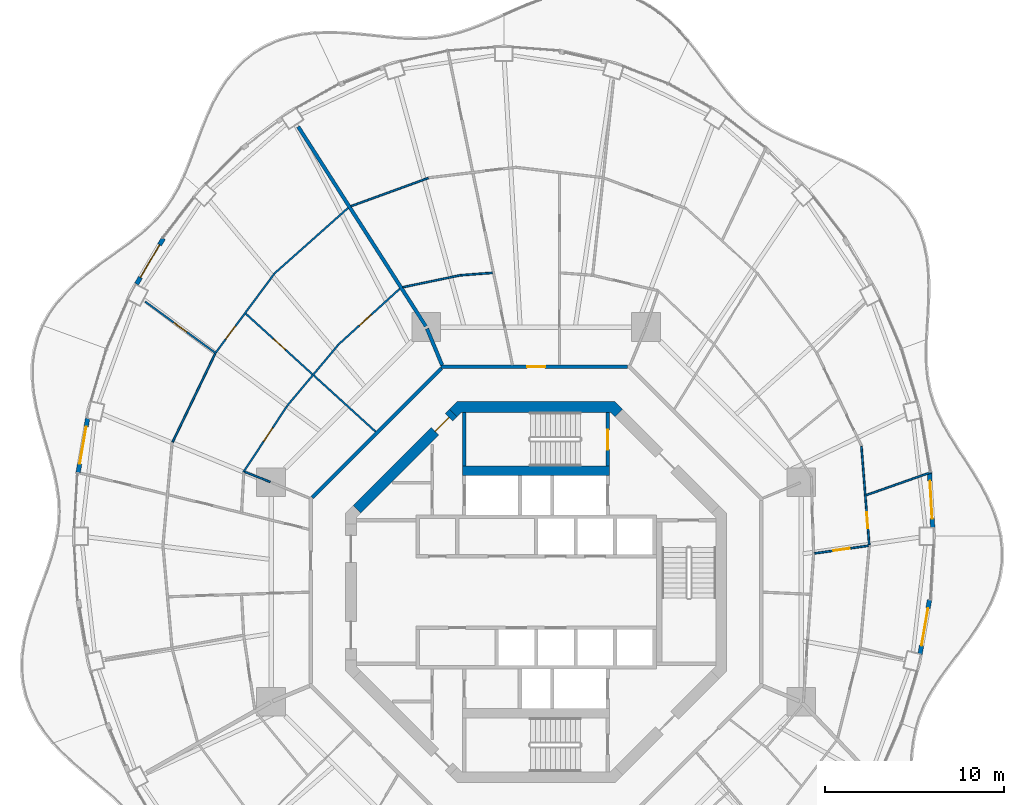
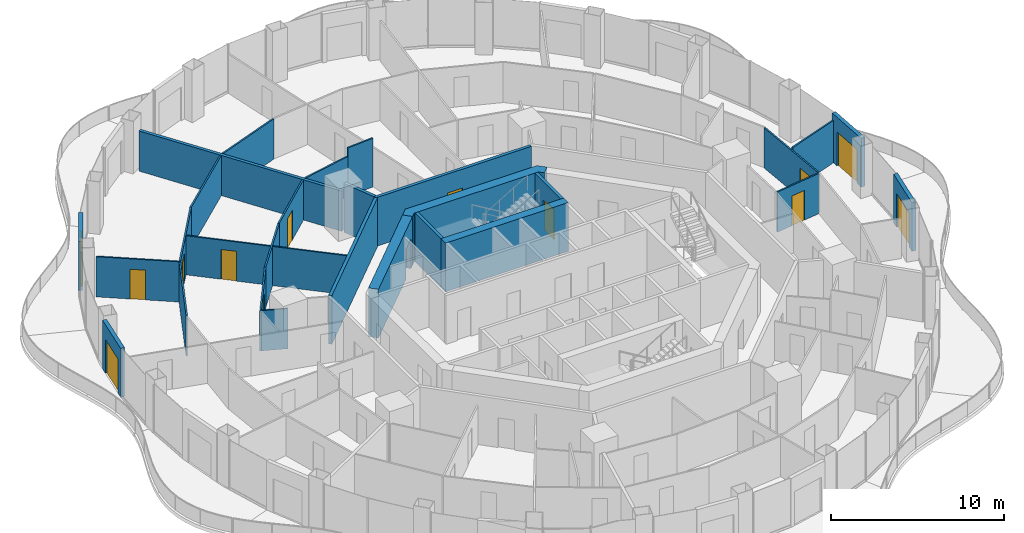
# One storey, part 13 of 18: 28 walls, 14 doors, 14 openings.
"""IFC4 building model written with IfcOpenShell, lengths in metres."""

from ifc_helpers import new_model, si_unit, direction, frame, frame_2d, origin, place, context, subcontext, project, spatial, polyline, rectangle, outline, extrude, material, layer, layer_set, type_object, element, fill, save


model = new_model("IFC4")

# Units and contexts
model_context = context("Model", 3, precision=1e-05, world=origin(), true_north=direction((0.0, 1.0)))
body_context = subcontext(model_context, "Body", "Model", "MODEL_VIEW")
ifc_project = project(units=[si_unit("LENGTHUNIT", "METRE"), si_unit("AREAUNIT", "SQUARE_METRE"), si_unit("VOLUMEUNIT", "CUBIC_METRE"), si_unit("PLANEANGLEUNIT", "RADIAN"), si_unit("MASSUNIT", "GRAM", prefix="KILO")], contexts=[model_context])

# Site, building, storey
site_placement = place(None, origin())
site = spatial("IfcSite", under=ifc_project, at=site_placement, CompositionType="ELEMENT")
building_placement = place(site_placement, origin())
building = spatial("IfcBuilding", under=site, at=building_placement, Name="Nagisa Residences", CompositionType="ELEMENT")
storey_placement = place(building_placement, frame((0.0, 0.0, 241.800048828125)))
storey = spatial("IfcBuildingStorey", under=building, at=storey_placement, Name="L61", CompositionType="ELEMENT", Elevation=241.800048828125)

# Walls
ifc_material_1 = material(Name="Gypsum board on steel studs", Category="steel")
ifc_layer_1 = layer(ifc_material_1, 0.199951171875)
ifc_layer_set_1 = layer_set([ifc_layer_1], Name="Apartment compartment wall EI60 200")
wall_type_1 = type_object("IfcWallType", Name="Apartment compartment wall EI60 200", PredefinedType="PARTITIONING", material=ifc_layer_set_1)
wall_1_placement = place(storey_placement, frame((-5.24267578125, 12.6572265625, 0.0), z_axis=(0.0, 0.0, 1.0), x_axis=(-0.382691608661, 0.923876145736, 0.0)))
element("IfcWall", 1, at=wall_1_placement, inside=storey, type_object=wall_type_1, Name="wall:L61:u00", PredefinedType="PARTITIONING", context=body_context, shape_type="SweptSolid", body=[
    extrude(rectangle(XDim=2.19970703125, YDim=0.199951171875, at=frame_2d((1.099853515625, 0.0))), origin(), (0.0, 0.0, 1.0), 3.43994140625),
])
wall_2_placement = place(storey_placement, frame((-6.14990234375, 14.82421875, 0.0), z_axis=(0.0, 0.0, 1.0), x_axis=(-0.538870687577, 0.842388498301, 0.0)))
element("IfcWall", 2, at=wall_2_placement, inside=storey, type_object=wall_type_1, Name="wall:L61:u01", PredefinedType="PARTITIONING", context=body_context, shape_type="SweptSolid", body=[
    extrude(rectangle(XDim=13.212646484375, YDim=0.199951171875, at=frame_2d((6.6064453125, 0.0))), origin(), (0.0, 0.0, 1.0), 2.8369140625),
])

# Wall, opening, door
ifc_material_2 = material(Name="Gypsum board on steel studs", Category="steel")
ifc_layer_2 = layer(ifc_material_2, 0.199951171875)
ifc_layer_set_2 = layer_set([ifc_layer_2], Name="Apartment entry wall EI60 200")
wall_type_2 = type_object("IfcWallType", Name="Apartment entry wall EI60 200", PredefinedType="PARTITIONING", material=ifc_layer_set_2)
wall_3_placement = place(storey_placement, frame((5.1044921875, 12.564697265625, 0.0), z_axis=(0.0, 0.0, 1.0), x_axis=(-1.0, 0.0, 0.0)))
wall_3 = element("IfcWall", 3, at=wall_3_placement, inside=storey, type_object=wall_type_2, Name="wall:L61:u10", PredefinedType="PARTITIONING", context=body_context, shape_type="SweptSolid", body=[
    extrude(rectangle(XDim=10.408935546875, YDim=0.199951171875, at=frame_2d((5.20458984375, 0.0))), origin(), (0.0, 0.0, 1.0), 3.43994140625),
])
opening_1_placement = place(wall_3_placement, frame((4.6044921875, 0.0, 0.0)))
opening_1 = element("IfcOpeningElement", 4, at=opening_1_placement, cuts=wall_3, Name="Opening L61-U20", PredefinedType="OPENING", context=body_context, shape_type="SweptSolid", body=[
    extrude(rectangle(XDim=1.0, YDim=2.10009765625, at=frame_2d((0.5, 1.050048828125))), frame((0.0, 0.10986328125, 0.0), z_axis=(0.0, -1.0, 0.0), x_axis=(1.0, 0.0, 0.0)), (0.0, 0.0, 1.0), 0.219970703125),
])
ifc_material_3 = material(Name="Timber fire door set", Category="wood")
door_type_1 = type_object("IfcDoorType", Name="Apartment entry door FD30S 1000x2100", OperationType="NOTDEFINED", PredefinedType="DOOR", material=ifc_material_3)
door_1_placement = place(opening_1_placement, frame((1.0, 0.0, 0.0), x_axis=(-1.0, 0.0, 0.0)))
door_1 = element("IfcDoor", 5, at=door_1_placement, inside=storey, type_object=door_type_1, Name="Entry door, Apartment 61C", OperationType="SINGLE_SWING_LEFT", OverallHeight=2.10009765625, OverallWidth=1.0, PredefinedType="DOOR", context=body_context, shape_type="SweptSolid", body=[
    extrude(rectangle(XDim=1.0, YDim=2.10009765625, at=frame_2d((0.5, 1.050048828125))), frame((0.0, 0.02490234375, 0.0), z_axis=(0.0, -1.0, 0.0), x_axis=(1.0, 0.0, 0.0)), (0.0, 0.0, 1.0), 0.050048828125),
])
fill(opening_1, door_1)

# Wall
wall_4_placement = place(storey_placement, frame((-5.275146484375, 12.494140625, 0.0), z_axis=(0.0, 0.0, 1.0), x_axis=(-0.707106781187, -0.707106781187, 0.0)))
element("IfcWall", 6, at=wall_4_placement, inside=storey, type_object=wall_type_2, Name="wall:L61:u11", PredefinedType="PARTITIONING", context=body_context, shape_type="SweptSolid", body=[
    extrude(rectangle(XDim=10.209228515625, YDim=0.199951171875, at=frame_2d((5.1044921875, 0.0))), origin(), (0.0, 0.0, 1.0), 3.43994140625),
])

# Wall, opening, door
ifc_material_4 = material(Name="Gypsum board on steel studs", Category="steel")
ifc_layer_3 = layer(ifc_material_4, 0.10009765625)
ifc_layer_set_3 = layer_set([ifc_layer_3], Name="Apartment partition 100")
wall_type_3 = type_object("IfcWallType", Name="Apartment partition 100", PredefinedType="PARTITIONING", material=ifc_layer_set_3)
wall_5_placement = place(storey_placement, frame((15.52587890625, 2.15673828125, 0.0), z_axis=(0.0, 0.0, 1.0), x_axis=(0.989997669831, 0.141083711779, 0.0)))
wall_5 = element("IfcWall", 7, at=wall_5_placement, inside=storey, type_object=wall_type_3, Name="wall:L61:u16", PredefinedType="PARTITIONING", context=body_context, shape_type="SweptSolid", body=[
    extrude(rectangle(XDim=3.036865234375, YDim=0.10009765625, at=frame_2d((1.5185546875, 0.0))), origin(), (0.0, 0.0, 1.0), 2.8369140625),
])
opening_2_placement = place(wall_5_placement, frame((1.068603515625, 0.0, 0.0)))
opening_2 = element("IfcOpeningElement", 8, at=opening_2_placement, cuts=wall_5, Name="Opening L61-U37", PredefinedType="OPENING", context=body_context, shape_type="SweptSolid", body=[
    extrude(rectangle(XDim=0.89990234375, YDim=2.10009765625, at=frame_2d((0.449951171875, 1.050048828125))), frame((0.0, 0.06005859375, 0.0), z_axis=(0.0, -1.0, 0.0), x_axis=(1.0, 0.0, 0.0)), (0.0, 0.0, 1.0), 0.1201171875),
])
ifc_material_5 = material(Name="Timber door set", Category="wood")
door_type_2 = type_object("IfcDoorType", Name="Apartment door 900x2100", OperationType="NOTDEFINED", PredefinedType="DOOR", material=ifc_material_5)
door_2_placement = place(opening_2_placement, frame((0.89990234375, 0.0, 0.0), x_axis=(-1.0, 0.0, 0.0)))
door_2 = element("IfcDoor", 9, at=door_2_placement, inside=storey, type_object=door_type_2, Name="Door to kitchen, Apartment 61C", OperationType="SINGLE_SWING_RIGHT", OverallHeight=2.10009765625, OverallWidth=0.89990234375, PredefinedType="DOOR", context=body_context, shape_type="SweptSolid", body=[
    extrude(rectangle(XDim=0.89990234375, YDim=2.10009765625, at=frame_2d((0.449951171875, 1.050048828125))), frame((0.0, 0.02490234375, 0.0), z_axis=(0.0, -1.0, 0.0), x_axis=(1.0, 0.0, 0.0)), (0.0, 0.0, 1.0), 0.050048828125),
])
fill(opening_2, door_2)

wall_6_placement = place(storey_placement, frame((18.578125, 2.64208984375, 0.0), z_axis=(0.0, 0.0, 1.0), x_axis=(-0.079179272956, 0.9968603928, 0.0)))
wall_6 = element("IfcWall", 10, at=wall_6_placement, inside=storey, type_object=wall_type_3, Name="wall:L61:u19", PredefinedType="PARTITIONING", context=body_context, shape_type="SweptSolid", body=[
    extrude(rectangle(XDim=5.50390625, YDim=0.10009765625, at=frame_2d((2.751953125, 0.0))), origin(), (0.0, 0.0, 1.0), 2.8369140625),
])
opening_3_placement = place(wall_6_placement, frame((0.926025390625, 0.0, 0.0)))
opening_3 = element("IfcOpeningElement", 11, at=opening_3_placement, cuts=wall_6, Name="Opening L61-U35", PredefinedType="OPENING", context=body_context, shape_type="SweptSolid", body=[
    extrude(rectangle(XDim=0.89990234375, YDim=2.10009765625, at=frame_2d((0.449951171875, 1.050048828125))), frame((0.0, 0.06005859375, 0.0), z_axis=(0.0, -1.0, 0.0), x_axis=(1.0, 0.0, 0.0)), (0.0, 0.0, 1.0), 0.1201171875),
])
door_3_placement = place(opening_3_placement, frame((0.89990234375, 0.0, 0.0), x_axis=(-1.0, 0.0, 0.0)))
door_3 = element("IfcDoor", 12, at=door_3_placement, inside=storey, type_object=door_type_2, Name="Door to master bedroom, Apartment 61C", OperationType="SINGLE_SWING_RIGHT", OverallHeight=2.10009765625, OverallWidth=0.89990234375, PredefinedType="DOOR", context=body_context, shape_type="SweptSolid", body=[
    extrude(rectangle(XDim=0.89990234375, YDim=2.10009765625, at=frame_2d((0.449951171875, 1.050048828125))), frame((0.0, 0.02490234375, 0.0), z_axis=(0.0, -1.0, 0.0), x_axis=(1.0, 0.0, 0.0)), (0.0, 0.0, 1.0), 0.050048828125),
])
fill(opening_3, door_3)

# Walls
wall_7_placement = place(storey_placement, frame((18.4072265625, 5.402099609375, 0.0), z_axis=(0.0, 0.0, 1.0), x_axis=(0.942990333583, 0.332820117735, 0.0)))
element("IfcWall", 13, at=wall_7_placement, inside=storey, type_object=wall_type_3, Name="wall:L61:u21", PredefinedType="PARTITIONING", context=body_context, shape_type="SweptSolid", body=[
    extrude(rectangle(XDim=3.837890625, YDim=0.10009765625, at=frame_2d((1.9189453125, 0.0))), origin(), (0.0, 0.0, 1.0), 2.98291015625),
])
wall_8_placement = place(storey_placement, frame((-2.43505859375, 17.803955078125, 0.0), z_axis=(0.0, 0.0, 1.0), x_axis=(-0.997128664551, -0.075725995084, 0.0)))
element("IfcWall", 14, at=wall_8_placement, inside=storey, type_object=wall_type_3, Name="wall:L61:u43", PredefinedType="PARTITIONING", context=body_context, shape_type="SweptSolid", body=[
    extrude(rectangle(XDim=1.750732421875, YDim=0.10009765625, at=frame_2d((0.87548828125, 0.0))), origin(), (0.0, 0.0, 1.0), 3.43994140625),
])
wall_9_placement = place(storey_placement, frame((-4.181640625, 17.677734375, 0.0), z_axis=(0.0, 0.0, 1.0), x_axis=(-0.979196996208, -0.202911908517, 0.0)))
element("IfcWall", 15, at=wall_9_placement, inside=storey, type_object=wall_type_3, Name="wall:L61:u44", PredefinedType="PARTITIONING", context=body_context, shape_type="SweptSolid", body=[
    extrude(rectangle(XDim=3.32080078125, YDim=0.10009765625, at=frame_2d((1.660400390625, 0.0))), origin(), (0.0, 0.0, 1.0), 2.8369140625),
])
wall_10_placement = place(storey_placement, frame((-6.01416015625, 23.093505859375, 0.0), z_axis=(0.0, 0.0, 1.0), x_axis=(-0.939433575811, -0.342731026665, 0.0)))
element("IfcWall", 16, at=wall_10_placement, inside=storey, type_object=wall_type_3, Name="wall:L61:u45", PredefinedType="PARTITIONING", context=body_context, shape_type="SweptSolid", body=[
    extrude(rectangle(XDim=4.58251953125, YDim=0.10009765625, at=frame_2d((2.291259765625, 0.0))), origin(), (0.0, 0.0, 1.0), 2.8369140625),
])

# Wall, opening, door
wall_11_placement = place(storey_placement, frame((-7.605224609375, 16.91650390625, 0.0), z_axis=(0.0, 0.0, 1.0), x_axis=(-0.739828340504, -0.672795679673, 0.0)))
wall_11 = element("IfcWall", 17, at=wall_11_placement, inside=storey, type_object=wall_type_3, Name="wall:L61:u46", PredefinedType="PARTITIONING", context=body_context, shape_type="SweptSolid", body=[
    extrude(rectangle(XDim=4.647216796875, YDim=0.10009765625, at=frame_2d((2.32373046875, 0.0))), origin(), (0.0, 0.0, 1.0), 2.8369140625),
])
opening_4_placement = place(wall_11_placement, frame((2.148193359375, 0.0, 0.0)))
opening_4 = element("IfcOpeningElement", 18, at=opening_4_placement, cuts=wall_11, Name="Opening L61-U52", PredefinedType="OPENING", context=body_context, shape_type="SweptSolid", body=[
    extrude(rectangle(XDim=0.89990234375, YDim=2.10009765625, at=frame_2d((0.449951171875, 1.050048828125))), frame((0.0, 0.06005859375, 0.0), z_axis=(0.0, -1.0, 0.0), x_axis=(1.0, 0.0, 0.0)), (0.0, 0.0, 1.0), 0.1201171875),
])
door_4_placement = place(opening_4_placement, origin())
door_4 = element("IfcDoor", 19, at=door_4_placement, inside=storey, type_object=door_type_2, Name="Door to store, Apartment 61D", OperationType="SINGLE_SWING_RIGHT", OverallHeight=2.10009765625, OverallWidth=0.89990234375, PredefinedType="DOOR", context=body_context, shape_type="SweptSolid", body=[
    extrude(rectangle(XDim=0.89990234375, YDim=2.10009765625, at=frame_2d((0.449951171875, 1.050048828125))), frame((0.0, 0.02490234375, 0.0), z_axis=(0.0, -1.0, 0.0), x_axis=(1.0, 0.0, 0.0)), (0.0, 0.0, 1.0), 0.050048828125),
])
fill(opening_4, door_4)

# Walls
wall_12_placement = place(storey_placement, frame((-10.48779296875, 21.422119140625, 0.0), z_axis=(0.0, 0.0, 1.0), x_axis=(-0.747153269812, -0.66465178207, 0.0)))
element("IfcWall", 20, at=wall_12_placement, inside=storey, type_object=wall_type_3, Name="wall:L61:u47", PredefinedType="PARTITIONING", context=body_context, shape_type="SweptSolid", body=[
    extrude(rectangle(XDim=5.52490234375, YDim=0.10009765625, at=frame_2d((2.762451171875, 0.0))), origin(), (0.0, 0.0, 1.0), 2.8369140625),
])
wall_13_placement = place(storey_placement, frame((-11.03857421875, 13.78515625, 0.0), z_axis=(0.0, 0.0, 1.0), x_axis=(-0.642254625966, -0.766491353784, 0.0)))
element("IfcWall", 21, at=wall_13_placement, inside=storey, type_object=wall_type_3, Name="wall:L61:u48", PredefinedType="PARTITIONING", context=body_context, shape_type="SweptSolid", body=[
    extrude(rectangle(XDim=4.4609375, YDim=0.10009765625, at=frame_2d((2.23046875, 0.0))), origin(), (0.0, 0.0, 1.0), 2.8369140625),
])

# Wall, opening, door
wall_14_placement = place(storey_placement, frame((-14.608154296875, 17.7431640625, 0.0), z_axis=(0.0, 0.0, 1.0), x_axis=(-0.596174489482, -0.8028548923, 0.0)))
wall_14 = element("IfcWall", 22, at=wall_14_placement, inside=storey, type_object=wall_type_3, Name="wall:L61:u49", PredefinedType="PARTITIONING", context=body_context, shape_type="SweptSolid", body=[
    extrude(rectangle(XDim=5.44189453125, YDim=0.10009765625, at=frame_2d((2.720947265625, 0.0))), origin(), (0.0, 0.0, 1.0), 2.8369140625),
])
opening_5_placement = place(wall_14_placement, frame((3.63134765625, 0.0, 0.0)))
opening_5 = element("IfcOpeningElement", 23, at=opening_5_placement, cuts=wall_14, Name="Opening L61-U46", PredefinedType="OPENING", context=body_context, shape_type="SweptSolid", body=[
    extrude(rectangle(XDim=0.89990234375, YDim=2.10009765625, at=frame_2d((0.449951171875, 1.050048828125))), frame((0.0, 0.06005859375, 0.0), z_axis=(0.0, -1.0, 0.0), x_axis=(1.0, 0.0, 0.0)), (0.0, 0.0, 1.0), 0.1201171875),
])
door_5_placement = place(opening_5_placement, frame((0.89990234375, 0.0, 0.0), x_axis=(-1.0, 0.0, 0.0)))
door_5 = element("IfcDoor", 24, at=door_5_placement, inside=storey, type_object=door_type_2, Name="Door to living room, Apartment 61D", OperationType="SINGLE_SWING_LEFT", OverallHeight=2.10009765625, OverallWidth=0.89990234375, PredefinedType="DOOR", context=body_context, shape_type="SweptSolid", body=[
    extrude(rectangle(XDim=0.89990234375, YDim=2.10009765625, at=frame_2d((0.449951171875, 1.050048828125))), frame((0.0, 0.02490234375, 0.0), z_axis=(0.0, -1.0, 0.0), x_axis=(1.0, 0.0, 0.0)), (0.0, 0.0, 1.0), 0.050048828125),
])
fill(opening_5, door_5)

wall_15_placement = place(storey_placement, frame((-8.958740234375, 8.951904296875, 0.0), z_axis=(0.0, 0.0, 1.0), x_axis=(-0.740140081805, 0.672452719011, 0.0)))
wall_15 = element("IfcWall", 25, at=wall_15_placement, inside=storey, type_object=wall_type_3, Name="wall:L61:u50", PredefinedType="PARTITIONING", context=body_context, shape_type="SweptSolid", body=[
    extrude(rectangle(XDim=9.774658203125, YDim=0.10009765625, at=frame_2d((4.88720703125, 0.0))), origin(), (0.0, 0.0, 1.0), 2.761962890625),
])
opening_6_placement = place(wall_15_placement, frame((6.78857421875, 0.0, 0.0)))
opening_6 = element("IfcOpeningElement", 26, at=opening_6_placement, cuts=wall_15, Name="Opening L61-U51", PredefinedType="OPENING", context=body_context, shape_type="SweptSolid", body=[
    extrude(rectangle(XDim=0.89990234375, YDim=2.10009765625, at=frame_2d((0.449951171875, 1.050048828125))), frame((0.0, 0.06005859375, 0.0), z_axis=(0.0, -1.0, 0.0), x_axis=(1.0, 0.0, 0.0)), (0.0, 0.0, 1.0), 0.1201171875),
])
door_6_placement = place(opening_6_placement, frame((0.89990234375, 0.0, 0.0), x_axis=(-1.0, 0.0, 0.0)))
door_6 = element("IfcDoor", 27, at=door_6_placement, inside=storey, type_object=door_type_2, Name="Door to kitchen, Apartment 61D", OperationType="SINGLE_SWING_RIGHT", OverallHeight=2.10009765625, OverallWidth=0.89990234375, PredefinedType="DOOR", context=body_context, shape_type="SweptSolid", body=[
    extrude(rectangle(XDim=0.89990234375, YDim=2.10009765625, at=frame_2d((0.449951171875, 1.050048828125))), frame((0.0, 0.02490234375, 0.0), z_axis=(0.0, -1.0, 0.0), x_axis=(1.0, 0.0, 0.0)), (0.0, 0.0, 1.0), 0.050048828125),
])
fill(opening_6, door_6)

wall_16_placement = place(storey_placement, frame((-13.899169921875, 10.362548828125, 0.0), z_axis=(0.0, 0.0, 1.0), x_axis=(-0.55129513787, -0.834310296569, 0.0)))
wall_16 = element("IfcWall", 28, at=wall_16_placement, inside=storey, type_object=wall_type_3, Name="wall:L61:u51", PredefinedType="PARTITIONING", context=body_context, shape_type="SweptSolid", body=[
    extrude(rectangle(XDim=4.4072265625, YDim=0.10009765625, at=frame_2d((2.20361328125, 0.0))), origin(), (0.0, 0.0, 1.0), 2.8369140625),
])
opening_7_placement = place(wall_16_placement, frame((1.452880859375, 0.0, 0.0)))
opening_7 = element("IfcOpeningElement", 29, at=opening_7_placement, cuts=wall_16, Name="Opening L61-U50", PredefinedType="OPENING", context=body_context, shape_type="SweptSolid", body=[
    extrude(rectangle(XDim=0.89990234375, YDim=2.10009765625, at=frame_2d((0.449951171875, 1.050048828125))), frame((0.0, 0.06005859375, 0.0), z_axis=(0.0, -1.0, 0.0), x_axis=(1.0, 0.0, 0.0)), (0.0, 0.0, 1.0), 0.1201171875),
])
door_7_placement = place(opening_7_placement, origin())
door_7 = element("IfcDoor", 30, at=door_7_placement, inside=storey, type_object=door_type_2, Name="Door to laundry, Apartment 61D", OperationType="SINGLE_SWING_RIGHT", OverallHeight=2.10009765625, OverallWidth=0.89990234375, PredefinedType="DOOR", context=body_context, shape_type="SweptSolid", body=[
    extrude(rectangle(XDim=0.89990234375, YDim=2.10009765625, at=frame_2d((0.449951171875, 1.050048828125))), frame((0.0, 0.02490234375, 0.0), z_axis=(0.0, -1.0, 0.0), x_axis=(1.0, 0.0, 0.0)), (0.0, 0.0, 1.0), 0.050048828125),
])
fill(opening_7, door_7)

wall_17_placement = place(storey_placement, frame((-17.842041015625, 13.304443359375, 0.0), z_axis=(0.0, 0.0, 1.0), x_axis=(-0.807541617862, 0.589810592835, 0.0)))
wall_17 = element("IfcWall", 31, at=wall_17_placement, inside=storey, type_object=wall_type_3, Name="wall:L61:u52", PredefinedType="PARTITIONING", context=body_context, shape_type="SweptSolid", body=[
    extrude(rectangle(XDim=4.9033203125, YDim=0.10009765625, at=frame_2d((2.45166015625, 0.0))), origin(), (0.0, 0.0, 1.0), 2.8369140625),
])
opening_8_placement = place(wall_17_placement, frame((2.02685546875, 0.0, 0.0)))
opening_8 = element("IfcOpeningElement", 32, at=opening_8_placement, cuts=wall_17, Name="Opening L61-U47", PredefinedType="OPENING", context=body_context, shape_type="SweptSolid", body=[
    extrude(rectangle(XDim=0.89990234375, YDim=2.10009765625, at=frame_2d((0.449951171875, 1.050048828125))), frame((0.0, 0.06005859375, 0.0), z_axis=(0.0, -1.0, 0.0), x_axis=(1.0, 0.0, 0.0)), (0.0, 0.0, 1.0), 0.1201171875),
])
door_8_placement = place(opening_8_placement, origin())
door_8 = element("IfcDoor", 33, at=door_8_placement, inside=storey, type_object=door_type_2, Name="Door to tatami room, Apartment 61D", OperationType="SINGLE_SWING_LEFT", OverallHeight=2.10009765625, OverallWidth=0.89990234375, PredefinedType="DOOR", context=body_context, shape_type="SweptSolid", body=[
    extrude(rectangle(XDim=0.89990234375, YDim=2.10009765625, at=frame_2d((0.449951171875, 1.050048828125))), frame((0.0, 0.02490234375, 0.0), z_axis=(0.0, -1.0, 0.0), x_axis=(1.0, 0.0, 0.0)), (0.0, 0.0, 1.0), 0.050048828125),
])
fill(opening_8, door_8)

# Walls
wall_18_placement = place(storey_placement, frame((-17.904052734375, 13.288818359375, 0.0), z_axis=(0.0, 0.0, 1.0), x_axis=(-0.434292070406, -0.900772111903, 0.0)))
element("IfcWall", 34, at=wall_18_placement, inside=storey, type_object=wall_type_3, Name="wall:L61:u53", PredefinedType="PARTITIONING", context=body_context, shape_type="SweptSolid", body=[
    extrude(rectangle(XDim=5.46875, YDim=0.10009765625, at=frame_2d((2.734375, 0.0))), origin(), (0.0, 0.0, 1.0), 2.8369140625),
])
wall_19_placement = place(storey_placement, frame((-14.82861328125, 6.141357421875, 0.0), z_axis=(0.0, 0.0, 1.0), x_axis=(-0.929177051194, 0.369634965248, 0.0)))
element("IfcWall", 35, at=wall_19_placement, inside=storey, type_object=wall_type_3, Name="wall:L61:u55", PredefinedType="PARTITIONING", context=body_context, shape_type="SweptSolid", body=[
    extrude(rectangle(XDim=1.534912109375, YDim=0.10009765625, at=frame_2d((0.767578125, 0.0))), origin(), (0.0, 0.0, 1.0), 2.8369140625),
])

# Wall, opening, door
ifc_material_6 = material(Name="Precast concrete C40/50", Category="concrete")
ifc_layer_4 = layer(ifc_material_6, 0.25)
ifc_layer_set_4 = layer_set([ifc_layer_4], Name="BALCONY DOOR WALL 250")
wall_type_4 = type_object("IfcWallType", Name="BALCONY DOOR WALL 250", PredefinedType="SOLIDWALL", material=ifc_layer_set_4)
wall_20_placement = place(storey_placement, frame((21.939208984375, 6.685546875, 0.0), z_axis=(0.0, 0.0, 1.0), x_axis=(0.057528189427, -0.998343882348, 0.0)))
wall_20 = element("IfcWall", 36, at=wall_20_placement, inside=storey, type_object=wall_type_4, Name="wall:L61:bay00", PredefinedType="SOLIDWALL", context=body_context, shape_type="SweptSolid", body=[
    extrude(rectangle(XDim=3.0810546875, YDim=0.25, at=frame_2d((1.54052734375, 0.0))), origin(), (0.0, 0.0, 1.0), 3.43994140625),
])
opening_9_placement = place(wall_20_placement, frame((0.490478515625, 0.0, 0.0)))
opening_9 = element("IfcOpeningElement", 37, at=opening_9_placement, cuts=wall_20, Name="Opening BD-L61-01", PredefinedType="OPENING", context=body_context, shape_type="SweptSolid", body=[
    extrude(rectangle(XDim=2.10009765625, YDim=2.39990234375, at=frame_2d((1.050048828125, 1.199951171875))), frame((0.0, 0.135009765625, 0.0), z_axis=(0.0, -1.0, 0.0), x_axis=(1.0, 0.0, 0.0)), (0.0, 0.0, 1.0), 0.27001953125),
])
ifc_material_7 = material(Name="Aluminium and clear glass", Category="aluminium")
door_type_3 = type_object("IfcDoorType", Name="BALCONY SLIDING DOOR 2100x2400", OperationType="SLIDING_TO_LEFT", PredefinedType="DOOR", material=ifc_material_7)
door_9_placement = place(opening_9_placement, origin())
door_9 = element("IfcDoor", 38, at=door_9_placement, inside=storey, type_object=door_type_3, Name="door:L61:bay00", OperationType="SLIDING_TO_LEFT", OverallHeight=2.39990234375, OverallWidth=2.10009765625, PredefinedType="DOOR", context=body_context, shape_type="SweptSolid", body=[
    extrude(rectangle(XDim=2.10009765625, YDim=2.39990234375, at=frame_2d((1.050048828125, 1.199951171875))), frame((0.0, 0.02490234375, 0.0), z_axis=(0.0, -1.0, 0.0), x_axis=(1.0, 0.0, 0.0)), (0.0, 0.0, 1.0), 0.050048828125),
])
fill(opening_9, door_9)

wall_21_placement = place(storey_placement, frame((-22.2841796875, 17.1806640625, 0.0), z_axis=(0.0, 0.0, 1.0), x_axis=(0.506330171469, 0.862339699573, 0.0)))
wall_21 = element("IfcWall", 39, at=wall_21_placement, inside=storey, type_object=wall_type_4, Name="wall:L61:bay19", PredefinedType="SOLIDWALL", context=body_context, shape_type="SweptSolid", body=[
    extrude(rectangle(XDim=2.954345703125, YDim=0.25, at=frame_2d((1.47705078125, 0.0))), origin(), (0.0, 0.0, 1.0), 3.43994140625),
])
opening_10_placement = place(wall_21_placement, frame((0.42724609375, 0.0, 0.0)))
opening_10 = element("IfcOpeningElement", 40, at=opening_10_placement, cuts=wall_21, Name="Opening BD-L61-07", PredefinedType="OPENING", context=body_context, shape_type="SweptSolid", body=[
    extrude(rectangle(XDim=2.10009765625, YDim=2.39990234375, at=frame_2d((1.050048828125, 1.199951171875))), frame((0.0, 0.135009765625, 0.0), z_axis=(0.0, -1.0, 0.0), x_axis=(1.0, 0.0, 0.0)), (0.0, 0.0, 1.0), 0.27001953125),
])
door_10_placement = place(opening_10_placement, origin())
door_10 = element("IfcDoor", 41, at=door_10_placement, inside=storey, type_object=door_type_3, Name="door:L61:bay19", OperationType="SLIDING_TO_LEFT", OverallHeight=2.39990234375, OverallWidth=2.10009765625, PredefinedType="DOOR", context=body_context, shape_type="SweptSolid", body=[
    extrude(rectangle(XDim=2.10009765625, YDim=2.39990234375, at=frame_2d((1.050048828125, 1.199951171875))), frame((0.0, 0.02490234375, 0.0), z_axis=(0.0, -1.0, 0.0), x_axis=(1.0, 0.0, 0.0)), (0.0, 0.0, 1.0), 0.050048828125),
])
fill(opening_10, door_10)

wall_22_placement = place(storey_placement, frame((-25.541015625, 6.67138671875, 0.0), z_axis=(0.0, 0.0, 1.0), x_axis=(0.172254823677, 0.985052422828, 0.0)))
wall_22 = element("IfcWall", 42, at=wall_22_placement, inside=storey, type_object=wall_type_4, Name="wall:L61:bay22", PredefinedType="SOLIDWALL", context=body_context, shape_type="SweptSolid", body=[
    extrude(rectangle(XDim=3.067138671875, YDim=0.25, at=frame_2d((1.53369140625, 0.0))), origin(), (0.0, 0.0, 1.0), 3.43994140625),
])
opening_11_placement = place(wall_22_placement, frame((0.483642578125, 0.0, 0.0)))
opening_11 = element("IfcOpeningElement", 43, at=opening_11_placement, cuts=wall_22, Name="Opening BD-L61-08", PredefinedType="OPENING", context=body_context, shape_type="SweptSolid", body=[
    extrude(rectangle(XDim=2.10009765625, YDim=2.39990234375, at=frame_2d((1.050048828125, 1.199951171875))), frame((0.0, 0.135009765625, 0.0), z_axis=(0.0, -1.0, 0.0), x_axis=(1.0, 0.0, 0.0)), (0.0, 0.0, 1.0), 0.27001953125),
])
door_11_placement = place(opening_11_placement, origin())
door_11 = element("IfcDoor", 44, at=door_11_placement, inside=storey, type_object=door_type_3, Name="door:L61:bay22", OperationType="SLIDING_TO_LEFT", OverallHeight=2.39990234375, OverallWidth=2.10009765625, PredefinedType="DOOR", context=body_context, shape_type="SweptSolid", body=[
    extrude(rectangle(XDim=2.10009765625, YDim=2.39990234375, at=frame_2d((1.050048828125, 1.199951171875))), frame((0.0, 0.02490234375, 0.0), z_axis=(0.0, -1.0, 0.0), x_axis=(1.0, 0.0, 0.0)), (0.0, 0.0, 1.0), 0.050048828125),
])
fill(opening_11, door_11)

wall_23_placement = place(storey_placement, frame((21.94091796875, -0.435791015625, 0.0), z_axis=(0.0, 0.0, 1.0), x_axis=(-0.172164083933, -0.985068286061, 0.0)))
wall_23 = element("IfcWall", 45, at=wall_23_placement, inside=storey, type_object=wall_type_4, Name="wall:L61:bay46", PredefinedType="SOLIDWALL", context=body_context, shape_type="SweptSolid", body=[
    extrude(rectangle(XDim=3.0673828125, YDim=0.25, at=frame_2d((1.53369140625, 0.0))), origin(), (0.0, 0.0, 1.0), 3.43994140625),
])
opening_12_placement = place(wall_23_placement, frame((0.483642578125, 0.0, 0.0)))
opening_12 = element("IfcOpeningElement", 46, at=opening_12_placement, cuts=wall_23, Name="Opening BD-L61-16", PredefinedType="OPENING", context=body_context, shape_type="SweptSolid", body=[
    extrude(rectangle(XDim=2.10009765625, YDim=2.39990234375, at=frame_2d((1.050048828125, 1.199951171875))), frame((0.0, 0.135009765625, 0.0), z_axis=(0.0, -1.0, 0.0), x_axis=(1.0, 0.0, 0.0)), (0.0, 0.0, 1.0), 0.27001953125),
])
door_12_placement = place(opening_12_placement, origin())
door_12 = element("IfcDoor", 47, at=door_12_placement, inside=storey, type_object=door_type_3, Name="door:L61:bay46", OperationType="SLIDING_TO_LEFT", OverallHeight=2.39990234375, OverallWidth=2.10009765625, PredefinedType="DOOR", context=body_context, shape_type="SweptSolid", body=[
    extrude(rectangle(XDim=2.10009765625, YDim=2.39990234375, at=frame_2d((1.050048828125, 1.199951171875))), frame((0.0, 0.02490234375, 0.0), z_axis=(0.0, -1.0, 0.0), x_axis=(1.0, 0.0, 0.0)), (0.0, 0.0, 1.0), 0.050048828125),
])
fill(opening_12, door_12)

ifc_material_8 = material(Name="Concrete C60", Category="concrete")
ifc_layer_5 = layer(ifc_material_8, 0.60009765625)
ifc_layer_set_5 = layer_set([ifc_layer_5], Name="Core shear wall 600")
wall_type_5 = type_object("IfcWallType", Name="Core shear wall 600", PredefinedType="SHEAR", material=ifc_layer_set_5)
wall_24_placement = place(storey_placement, frame((-4.613037109375, 9.98828125, 0.0), z_axis=(0.0, 0.0, 1.0), x_axis=(-0.707106781187, -0.707106781187, 0.0)))
wall_24 = element("IfcWall", 48, at=wall_24_placement, inside=storey, type_object=wall_type_5, Name="wall:L61:core:flat3", PredefinedType="SHEAR", context=body_context, shape_type="SweptSolid", body=[
    extrude(rectangle(XDim=7.601806640625, YDim=0.60009765625, at=frame_2d((3.80078125, 0.0))), origin(), (0.0, 0.0, 1.0), 3.43994140625),
])
opening_13_placement = place(wall_24_placement, frame((0.350830078125, 0.0, 0.0)))
opening_13 = element("IfcOpeningElement", 49, at=opening_13_placement, cuts=wall_24, Name="Opening L61-C23", PredefinedType="OPENING", context=body_context, shape_type="SweptSolid", body=[
    extrude(rectangle(XDim=1.10009765625, YDim=2.10009765625, at=frame_2d((0.550048828125, 1.050048828125))), frame((0.0, 0.31005859375, 0.0), z_axis=(0.0, -1.0, 0.0), x_axis=(1.0, 0.0, 0.0)), (0.0, 0.0, 1.0), 0.6201171875),
])
ifc_material_9 = material(Name="Steel fire door", Category="steel")
door_type_4 = type_object("IfcDoorType", Name="Fire door EI60 1100x2100 single swing", OperationType="NOTDEFINED", PredefinedType="DOOR", material=ifc_material_9)
door_13_placement = place(opening_13_placement, origin())
door_13 = element("IfcDoor", 50, at=door_13_placement, inside=storey, type_object=door_type_4, Name="Service lobby door L61", OperationType="SINGLE_SWING_LEFT", OverallHeight=2.10009765625, OverallWidth=1.10009765625, PredefinedType="DOOR", context=body_context, shape_type="SweptSolid", body=[
    extrude(rectangle(XDim=1.10009765625, YDim=2.10009765625, at=frame_2d((0.550048828125, 1.050048828125))), frame((0.0, 0.02490234375, 0.0), z_axis=(0.0, -1.0, 0.0), x_axis=(1.0, 0.0, 0.0)), (0.0, 0.0, 1.0), 0.050048828125),
])
fill(opening_13, door_13)

# Wall
wall_25_placement = place(storey_placement, origin())
element("IfcWall", 51, at=wall_25_placement, inside=storey, type_object=wall_type_5, Name="wall:L61:core:flat2", PredefinedType="SHEAR", context=body_context, shape_type="SweptSolid", body=[
    extrude(outline(polyline([(-4.15234375, 10.024658203125), (-4.40087890625, 9.776123046875), (-4.8251953125, 10.200439453125), (-4.40087890625, 10.62451171875), (4.40087890625, 10.62451171875), (4.8251953125, 10.200439453125), (4.40087890625, 9.776123046875), (4.15234375, 10.024658203125), (-4.15234375, 10.024658203125)])), origin(), (0.0, 0.0, 1.0), 3.43994140625),
])

# Wall, opening, door
ifc_material_10 = material(Name="Concrete C60", Category="concrete")
ifc_layer_6 = layer(ifc_material_10, 0.199951171875)
ifc_layer_set_6 = layer_set([ifc_layer_6], Name="Stair enclosure wall 200")
wall_type_6 = type_object("IfcWallType", Name="Stair enclosure wall 200", PredefinedType="SOLIDWALL", material=ifc_layer_set_6)
wall_26_placement = place(storey_placement, frame((4.0, 7.024658203125, 0.0), z_axis=(0.0, 0.0, 1.0), x_axis=(0.0, 1.0, 0.0)))
wall_26 = element("IfcWall", 52, at=wall_26_placement, inside=storey, type_object=wall_type_6, Name="wall:L61:SN_e", PredefinedType="SOLIDWALL", context=body_context, shape_type="SweptSolid", body=[
    extrude(rectangle(XDim=3.0, YDim=0.199951171875, at=frame_2d((1.5, 0.0))), origin(), (0.0, 0.0, 1.0), 3.43994140625),
])
opening_14_placement = place(wall_26_placement, frame((0.92529296875, 0.0, 0.0)))
opening_14 = element("IfcOpeningElement", 53, at=opening_14_placement, cuts=wall_26, Name="Opening L61-C09", PredefinedType="OPENING", context=body_context, shape_type="SweptSolid", body=[
    extrude(rectangle(XDim=1.10009765625, YDim=2.10009765625, at=frame_2d((0.550048828125, 1.050048828125))), frame((0.0, 0.10986328125, 0.0), z_axis=(0.0, -1.0, 0.0), x_axis=(1.0, 0.0, 0.0)), (0.0, 0.0, 1.0), 0.219970703125),
])
ifc_material_11 = material(Name="Steel fire door", Category="steel")
door_type_5 = type_object("IfcDoorType", Name="Fire door EI90 1100x2100 single swing", OperationType="NOTDEFINED", PredefinedType="DOOR", material=ifc_material_11)
door_14_placement = place(opening_14_placement, origin())
door_14 = element("IfcDoor", 54, at=door_14_placement, inside=storey, type_object=door_type_5, Name="Stair door ST-N L61", OperationType="SINGLE_SWING_RIGHT", OverallHeight=2.10009765625, OverallWidth=1.10009765625, PredefinedType="DOOR", context=body_context, shape_type="SweptSolid", body=[
    extrude(rectangle(XDim=1.10009765625, YDim=2.10009765625, at=frame_2d((0.550048828125, 1.050048828125))), frame((0.0, 0.02490234375, 0.0), z_axis=(0.0, -1.0, 0.0), x_axis=(1.0, 0.0, 0.0)), (0.0, 0.0, 1.0), 0.050048828125),
])
fill(opening_14, door_14)

# Walls
wall_27_placement = place(storey_placement, origin())
element("IfcWall", 55, at=wall_27_placement, inside=storey, type_object=wall_type_6, Name="wall:L61:SN_w", PredefinedType="SOLIDWALL", context=body_context, shape_type="SweptSolid", body=[
    extrude(outline(polyline([(-3.89990234375, 7.024658203125), (-4.10009765625, 7.024658203125), (-4.10009765625, 10.024658203125), (-3.89990234375, 10.024658203125), (-3.89990234375, 7.024658203125)])), origin(), (0.0, 0.0, 1.0), 3.43994140625),
])
wall_28_placement = place(storey_placement, origin())
element("IfcWall", 56, at=wall_28_placement, inside=storey, type_object=wall_type_6, Name="wall:L61:SN_s", PredefinedType="SOLIDWALL", context=body_context, shape_type="SweptSolid", body=[
    extrude(outline(polyline([(4.10009765625, 6.5), (-4.10009765625, 6.5), (-4.10009765625, 7.024658203125), (4.10009765625, 7.024658203125), (4.10009765625, 6.5)])), origin(), (0.0, 0.0, 1.0), 3.43994140625),
])

save(model, "model.ifc")
